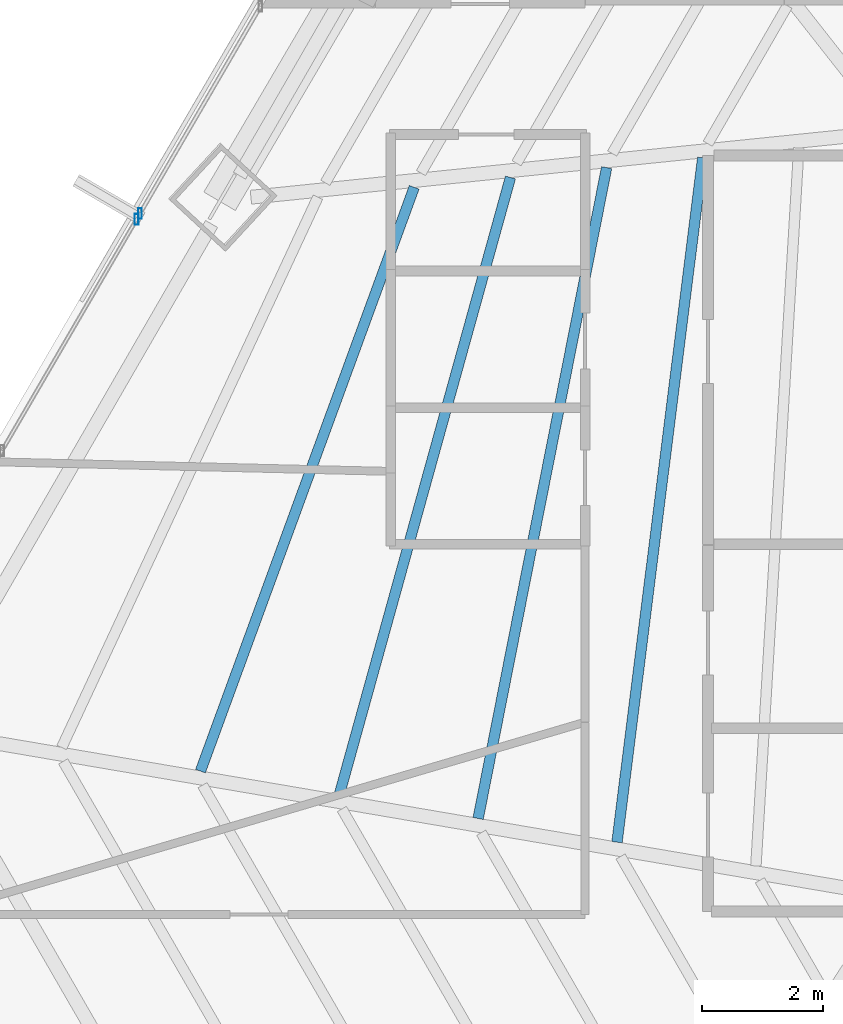
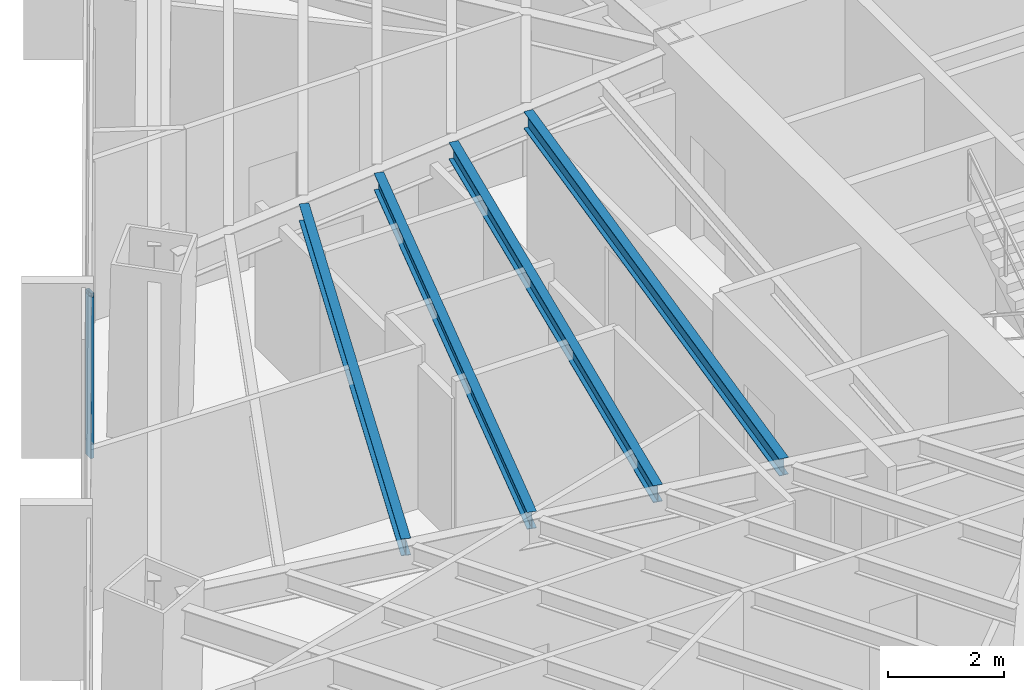
# One storey, part 12 of 36: 4 beams, 2 members, 2 elements without a shape of their own.
"""IFC4 building model written with IfcOpenShell, lengths in metres."""

from ifc_helpers import new_model, si_unit, direction, frame, origin, origin_2d, place, context, subcontext, project, spatial, hollow_rectangle, i_section, extrude, source, transform, mapped, material, material_profile, profile_set, type_object, type_shapes, element, aggregate, save


model = new_model("IFC4")

# Units and contexts
model_context = context("Model", 3, precision=1e-05, world=origin(), true_north=direction((0.0, 1.0)))
body_context = subcontext(model_context, "Body", "Model", "MODEL_VIEW")
ifc_project = project(units=[si_unit("LENGTHUNIT", "METRE"), si_unit("AREAUNIT", "SQUARE_METRE"), si_unit("VOLUMEUNIT", "CUBIC_METRE"), si_unit("PLANEANGLEUNIT", "RADIAN"), si_unit("MASSUNIT", "GRAM", prefix="KILO")], contexts=[model_context])

# Site, building, storey
site_placement = place(None, origin())
site = spatial("IfcSite", under=ifc_project, at=site_placement, CompositionType="ELEMENT")
building_placement = place(site_placement, origin())
building = spatial("IfcBuilding", under=site, at=building_placement, Name="Caelisora Broadcast Tower", CompositionType="ELEMENT")
storey_placement = place(building_placement, frame((0.0, 0.0, 60.449951171875)))
storey = spatial("IfcBuildingStorey", under=building, at=storey_placement, Name="L15", CompositionType="ELEMENT", Elevation=60.449951171875)

# Beams
ifc_material_1 = material(Name="Steel Grade 350 (AS/NZS 3679.1)", Category="steel")
ifc_material_profile_1 = material_profile(ifc_material_1, i_section(OverallWidth=0.172119140625, OverallDepth=0.358642578125, WebThickness=0.008056640625, FlangeThickness=0.012939453125, at=origin_2d()), Name="Steel Grade 350 (AS/NZS 3679.1)")
ifc_profile_set_1 = profile_set([ifc_material_profile_1], Name="Steel Grade 350 (AS/NZS 3679.1)")
beam_type = type_object("IfcBeamType", Name="SB02", PredefinedType="JOIST", material=ifc_profile_set_1)
shared_shape_1 = source(origin(), body_context, "Body", "SweptSolid", [
    extrude(i_section(OverallWidth=0.172119140625, OverallDepth=0.358642578125, WebThickness=0.008056640625, FlangeThickness=0.012939453125, at=origin_2d()), origin(), (0.0, 0.0, 1.0), 11.359619140625),
])
beam_1_placement = place(storey_placement, frame((27.336669921875, 29.564697265625, 3.220703125), z_axis=(-0.124330987461, -0.992240800188, 0.0), x_axis=(0.992240800188, -0.124330987461, 0.0)))
element("IfcBeam", 1, at=beam_1_placement, inside=storey, type_object=beam_type, Name="L15 beam SB02", PredefinedType="JOIST", context=body_context, shape_type="MappedRepresentation", body=[
    mapped(shared_shape_1, transform((0.0, 0.0, 0.0), scale=1.0)),
])
shared_shape_2 = source(origin(), body_context, "Body", "SweptSolid", [
    extrude(i_section(OverallWidth=0.172119140625, OverallDepth=0.358642578125, WebThickness=0.008056640625, FlangeThickness=0.012939453125, at=origin_2d()), origin(), (0.0, 0.0, 1.0), 10.92626953125),
])
beam_2_placement = place(storey_placement, frame((25.753662109375, 29.40283203125, 3.220703125), z_axis=(-0.193704909265, -0.981059839218, 0.0), x_axis=(0.981059839218, -0.193704909265, 0.0)))
element("IfcBeam", 2, at=beam_2_placement, inside=storey, type_object=beam_type, Name="L15 beam SB02", PredefinedType="JOIST", context=body_context, shape_type="MappedRepresentation", body=[
    mapped(shared_shape_2, transform((0.0, 0.0, 0.0), scale=1.0)),
])
shared_shape_3 = source(origin(), body_context, "Body", "SweptSolid", [
    extrude(i_section(OverallWidth=0.172119140625, OverallDepth=0.358642578125, WebThickness=0.008056640625, FlangeThickness=0.012939453125, at=origin_2d()), origin(), (0.0, 0.0, 1.0), 10.550537109375),
])
beam_3_placement = place(storey_placement, frame((24.169677734375, 29.24072265625, 3.220703125), z_axis=(-0.26719747856, -0.96364179416, 0.0), x_axis=(0.96364179416, -0.26719747856, 0.0)))
element("IfcBeam", 3, at=beam_3_placement, inside=storey, type_object=beam_type, Name="L15 beam SB02", PredefinedType="JOIST", context=body_context, shape_type="MappedRepresentation", body=[
    mapped(shared_shape_3, transform((0.0, 0.0, 0.0), scale=1.0)),
])
shared_shape_4 = source(origin(), body_context, "Body", "SweptSolid", [
    extrude(i_section(OverallWidth=0.172119140625, OverallDepth=0.358642578125, WebThickness=0.008056640625, FlangeThickness=0.012939453125, at=origin_2d()), origin(), (0.0, 0.0, 1.0), 10.239013671875),
])
type_shapes(beam_type, [shared_shape_1, shared_shape_2, shared_shape_3, shared_shape_4])
beam_4_placement = place(storey_placement, frame((22.58447265625, 29.07861328125, 3.220703125), z_axis=(-0.34376207042, -0.939056781532, 0.0), x_axis=(0.939056781532, -0.34376207042, 0.0)))
element("IfcBeam", 4, at=beam_4_placement, inside=storey, type_object=beam_type, Name="L15 beam SB02", PredefinedType="JOIST", context=body_context, shape_type="MappedRepresentation", body=[
    mapped(shared_shape_4, transform((0.0, 0.0, 0.0), scale=1.0)),
])

# Curtain wall, member
ifc_material_2 = material(Name="Unitised Aluminium and Low-E Glass Curtain Wall", Category="glass")
curtain_wall_type_1 = type_object("IfcCurtainWallType", Name="CW-Z1", PredefinedType="NOTDEFINED", material=ifc_material_2)
curtain_wall_1_placement = place(storey_placement, origin())
curtain_wall_1 = element("IfcCurtainWall", 5, at=curtain_wall_1_placement, inside=storey, type_object=curtain_wall_type_1, Name="L15 curtain wall CW-Z1", PredefinedType="NOTDEFINED")
ifc_material_3 = material(Name="Aluminium 6063-T6 Anodised Terracotta Bronze", Category="aluminium")
ifc_material_profile_2 = material_profile(ifc_material_3, hollow_rectangle(XDim=0.06494140625, YDim=0.179931640625, WallThickness=0.00341796875, at=origin_2d()), Name="Aluminium 6063-T6 Anodised Terracotta Bronze")
ifc_profile_set_2 = profile_set([ifc_material_profile_2], Name="Aluminium 6063-T6 Anodised Terracotta Bronze")
member_type = type_object("IfcMemberType", Name="CWM-02", PredefinedType="MULLION", material=ifc_profile_set_2)
shared_shape_5 = source(origin(), body_context, "Body", "SweptSolid", [
    extrude(hollow_rectangle(XDim=0.06494140625, YDim=0.179931640625, WallThickness=0.00341796875, at=origin_2d()), origin(), (0.0, 0.0, 1.0), 3.400146484375),
])
type_shapes(member_type, [shared_shape_5])
member_1_placement = place(storey_placement, frame((18.01318359375, 28.5517578125, 0.0), z_axis=(0.0, 0.0, 1.0), x_axis=(1.0, 0.0, 0.0)))
member_1 = element("IfcMember", 6, at=member_1_placement, type_object=member_type, Name="L15-CW-B09 mullion #3", PredefinedType="MULLION", context=body_context, shape_type="MappedRepresentation", body=[
    mapped(shared_shape_5, transform((0.0, 0.0, 0.0), scale=1.0)),
])
aggregate(curtain_wall_1, [member_1])

ifc_material_4 = material(Name="Unitised Aluminium Insulated Shadow-Box Spandrel Curtain Wall", Category="aluminium")
curtain_wall_type_2 = type_object("IfcCurtainWallType", Name="CW-SP1", PredefinedType="NOTDEFINED", material=ifc_material_4)
curtain_wall_2_placement = place(storey_placement, origin())
curtain_wall_2 = element("IfcCurtainWall", 7, at=curtain_wall_2_placement, inside=storey, type_object=curtain_wall_type_2, Name="L15 curtain wall CW-SP1", PredefinedType="NOTDEFINED")
member_2_placement = place(storey_placement, frame((18.068603515625, 28.646728515625, 0.0), z_axis=(0.0, 0.0, 1.0), x_axis=(1.0, 0.0, 0.0)))
member_2 = element("IfcMember", 8, at=member_2_placement, type_object=member_type, Name="L15-CW-B10 mullion #0", PredefinedType="MULLION", context=body_context, shape_type="MappedRepresentation", body=[
    mapped(shared_shape_5, transform((0.0, 0.0, 0.0), scale=1.0)),
])
aggregate(curtain_wall_2, [member_2])

save(model, "model.ifc")
